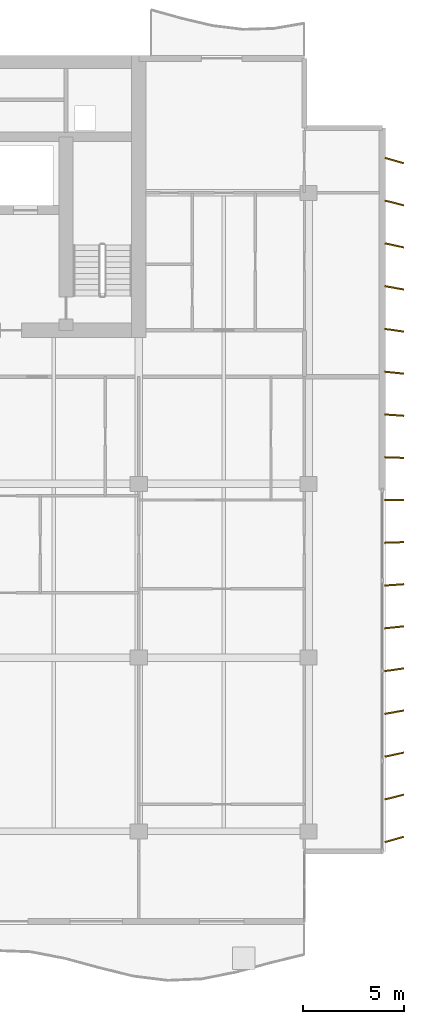
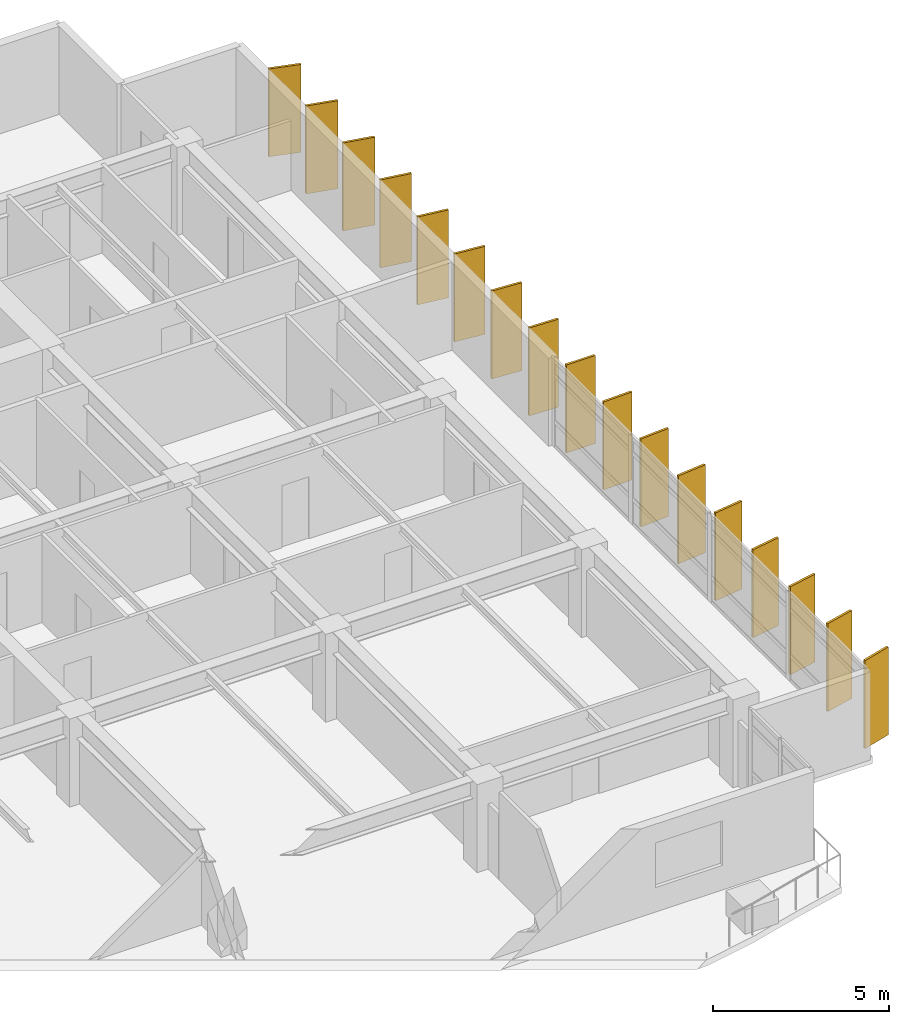
# One storey, part 16 of 16: 17 shading devices.
"""IFC4 building model written with IfcOpenShell, lengths in metres."""

from ifc_helpers import new_model, si_unit, direction, frame, origin, origin_2d, place, context, subcontext, project, spatial, rectangle, extrude, material, material_profile, profile_set, type_object, element, save


model = new_model("IFC4")

# Units and contexts
model_context = context("Model", 3, precision=1e-05, world=origin(), true_north=direction((0.0, 1.0)))
body_context = subcontext(model_context, "Body", "Model", "MODEL_VIEW")
ifc_project = project(units=[si_unit("LENGTHUNIT", "METRE"), si_unit("AREAUNIT", "SQUARE_METRE"), si_unit("VOLUMEUNIT", "CUBIC_METRE"), si_unit("PLANEANGLEUNIT", "RADIAN"), si_unit("MASSUNIT", "GRAM", prefix="KILO")], contexts=[model_context])

# Site, building, storey
site_placement = place(None, origin())
site = spatial("IfcSite", under=ifc_project, at=site_placement, CompositionType="ELEMENT")
building_placement = place(site_placement, origin())
building = spatial("IfcBuilding", under=site, at=building_placement, Name="Caelmar Bay Residences", CompositionType="ELEMENT")
storey_placement = place(building_placement, frame((0.0, 0.0, 198.300048828125)))
storey = spatial("IfcBuildingStorey", under=building, at=storey_placement, Name="L55", CompositionType="ELEMENT", Elevation=198.300048828125)

# Shading devices
ifc_material = material(Name="Anodised architectural bronze aluminium 6063-T6", Category="aluminium")
ifc_material_profile = material_profile(ifc_material, rectangle(XDim=0.074951171875, YDim=0.949951171875, at=origin_2d()), Name="BRONZE-FIN-75X950")
ifc_profile_set = profile_set([ifc_material_profile], Name="Anodised architectural bronze aluminium 6063-T6")
shading_device_type = type_object("IfcShadingDeviceType", Name="SHD-FIN-950", PredefinedType="USERDEFINED", material=ifc_profile_set)
for number, where, z_axis, x_axis, name in (
    (1, (72.14990234375, 11.800048828125, 0.0), (0.0, 0.0, 1.0), (-0.275637355817, 0.961261695938, 0.0), "L55 East Bronze Solar Fin 1"),
    (2, (72.14990234375, 13.89990234375, 0.0), (0.0, 0.0, 1.0), (-0.2419218956, 0.970295726276, 0.0), "L55 East Bronze Solar Fin 2"),
    (3, (72.14990234375, 16.0, 0.0), (0.0, 0.0, 1.0), (-0.207911690818, 0.978147600734, 0.0), "L55 East Bronze Solar Fin 3"),
    (4, (72.14990234375, 18.10009765625, 0.0), (0.0, 0.0, 1.0), (-0.173648177667, 0.984807753012, 0.0), "L55 East Bronze Solar Fin 4"),
    (5, (72.14990234375, 20.199951171875, 0.0), (0.0, 0.0, 1.0), (-0.13917310096, 0.990268068742, 0.0), "L55 East Bronze Solar Fin 5"),
    (6, (72.14990234375, 22.300048828125, 0.0), (0.0, 0.0, 1.0), (-0.104528463268, 0.994521895368, 0.0), "L55 East Bronze Solar Fin 6"),
    (7, (72.14990234375, 24.39990234375, 0.0), (0.0, 0.0, 1.0), (-0.069756473744, 0.99756405026, 0.0), "L55 East Bronze Solar Fin 7"),
    (8, (72.14990234375, 26.5, 0.0), (0.0, 0.0, 1.0), (-0.034899496703, 0.999390827019, 0.0), "L55 East Bronze Solar Fin 8"),
    (9, (72.14990234375, 28.60009765625, 0.0), (0.0, 0.0, 1.0), (0.0, 1.0, 0.0), "L55 East Bronze Solar Fin 9"),
    (10, (72.14990234375, 30.699951171875, 0.0), (0.0, 0.0, 1.0), (0.034899496703, 0.999390827019, 0.0), "L55 East Bronze Solar Fin 10"),
    (11, (72.14990234375, 32.800048828125, 0.0), (0.0, 0.0, 1.0), (0.069756473744, 0.99756405026, 0.0), "L55 East Bronze Solar Fin 11"),
    (12, (72.14990234375, 34.89990234375, 0.0), (0.0, 0.0, 1.0), (0.104528463268, 0.994521895368, 0.0), "L55 East Bronze Solar Fin 12"),
    (13, (72.14990234375, 37.0, 0.0), (0.0, 0.0, 1.0), (0.13917310096, 0.990268068742, 0.0), "L55 East Bronze Solar Fin 13"),
    (14, (72.14990234375, 39.10009765625, 0.0), (0.0, 0.0, 1.0), (0.173648177667, 0.984807753012, 0.0), "L55 East Bronze Solar Fin 14"),
    (15, (72.14990234375, 41.199951171875, 0.0), (0.0, 0.0, 1.0), (0.207911690818, 0.978147600734, 0.0), "L55 East Bronze Solar Fin 15"),
    (16, (72.14990234375, 43.300048828125, 0.0), (0.0, 0.0, 1.0), (0.2419218956, 0.970295726276, 0.0), "L55 East Bronze Solar Fin 16"),
    (17, (72.14990234375, 45.39990234375, 0.0), (0.0, 0.0, 1.0), (0.275637355817, 0.961261695938, 0.0), "L55 East Bronze Solar Fin 17"),
):
    element("IfcShadingDevice", number, at=place(storey_placement, frame(where, z_axis=z_axis, x_axis=x_axis)), inside=storey, type_object=shading_device_type, Name=name, ObjectType="FIN", PredefinedType="USERDEFINED", context=body_context, shape_type="SweptSolid", body=[
        extrude(rectangle(XDim=0.074951171875, YDim=0.949951171875, at=origin_2d()), origin(), (0.0, 0.0, 1.0), 3.050048828125),
    ])

save(model, "model.ifc")
